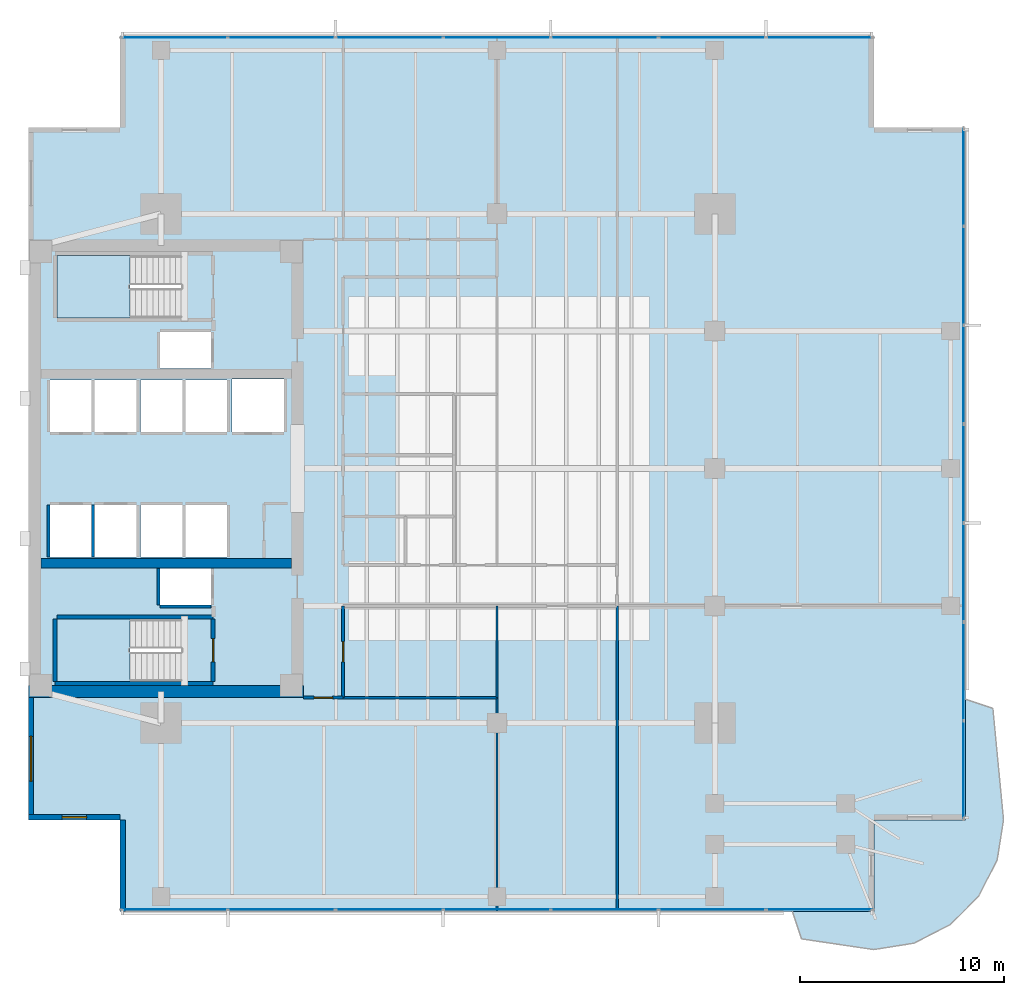
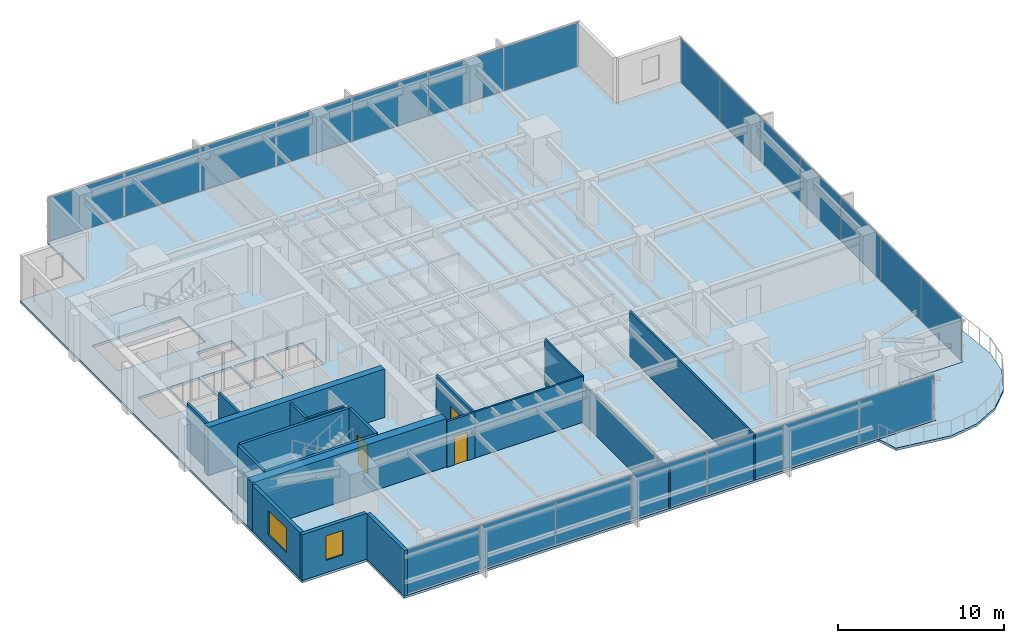
# One storey, part 7 of 14: 21 plates, 19 walls, 4 slabs, 3 doors, 2 windows, 5 openings, 5 elements without a shape of their own.
"""IFC4 building model written with IfcOpenShell, lengths in metres."""

from ifc_helpers import new_model, si_unit, direction, frame, frame_2d, origin, origin_2d, place, context, subcontext, project, spatial, polyline, rectangle, outline, extrude, material, layer, layer_set, type_object, element, fill, aggregate, save


model = new_model("IFC4")

# Units and contexts
model_context = context("Model", 3, precision=1e-05, world=origin(), true_north=direction((0.0, 1.0)))
body_context = subcontext(model_context, "Body", "Model", "MODEL_VIEW")
ifc_project = project(units=[si_unit("LENGTHUNIT", "METRE"), si_unit("AREAUNIT", "SQUARE_METRE"), si_unit("VOLUMEUNIT", "CUBIC_METRE"), si_unit("PLANEANGLEUNIT", "RADIAN"), si_unit("MASSUNIT", "GRAM", prefix="KILO")], contexts=[model_context])

# Site, building, storey
site_placement = place(None, origin())
site = spatial("IfcSite", under=ifc_project, at=site_placement, CompositionType="ELEMENT")
building_placement = place(site_placement, origin())
building = spatial("IfcBuilding", under=site, at=building_placement, Name="Kinhvarn Gate Tower", CompositionType="ELEMENT")
storey_placement = place(building_placement, frame((0.0, 0.0, 144.85009765625)))
storey = spatial("IfcBuildingStorey", under=building, at=storey_placement, Name="L38", CompositionType="ELEMENT", Elevation=144.85009765625)

# Curtain wall, plates
ifc_material_1 = material(Name="Anodised aluminium AW-6063", Category="aluminium")
ifc_layer_1 = layer(ifc_material_1, 0.179931640625)
ifc_layer_set_1 = layer_set([ifc_layer_1], Name="Anodised aluminium AW-6063")
curtain_wall_type = type_object("IfcCurtainWallType", Name="CW-SYS-3", PredefinedType="NOTDEFINED", material=ifc_layer_set_1)
curtain_wall_1_placement = place(storey_placement, origin())
curtain_wall_1 = element("IfcCurtainWall", 1, at=curtain_wall_1_placement, inside=storey, type_object=curtain_wall_type, Name="Curtain Wall CW3 (L38)", PredefinedType="NOTDEFINED")
ifc_material_2 = material(Name="Clear low-e double glazing", Category="glass")
ifc_layer_2 = layer(ifc_material_2, 0.031982421875)
ifc_layer_set_2 = layer_set([ifc_layer_2], Name="Clear low-e double glazing")
plate_type = type_object("IfcPlateType", Name="CW-PNL-VIS", PredefinedType="CURTAIN_PANEL", material=ifc_layer_set_2)
plate_1_placement = place(storey_placement, frame((11.6591796875, 3.590087890625, 0.06982421875), z_axis=(0.0, 0.0, 1.0), x_axis=(1.0, 0.0, 0.0)))
plate_1 = element("IfcPlate", 2, at=plate_1_placement, type_object=plate_type, Name="CW3 panel 1.1", PredefinedType="CURTAIN_PANEL", context=body_context, shape_type="SweptSolid", body=[
    extrude(rectangle(XDim=5.188232421875, YDim=0.031982421875, at=origin_2d()), origin(), (0.0, 0.0, 1.0), 3.22998046875),
])
plate_2_placement = place(storey_placement, frame((16.928466796875, 3.590087890625, 0.06982421875), z_axis=(0.0, 0.0, 1.0), x_axis=(1.0, 0.0, 0.0)))
plate_2 = element("IfcPlate", 3, at=plate_2_placement, type_object=plate_type, Name="CW3 panel 2.1", PredefinedType="CURTAIN_PANEL", context=body_context, shape_type="SweptSolid", body=[
    extrude(rectangle(XDim=5.220703125, YDim=0.031982421875, at=origin_2d()), origin(), (0.0, 0.0, 1.0), 3.22998046875),
])
plate_3_placement = place(storey_placement, frame((22.21435546875, 3.590087890625, 0.06982421875), z_axis=(0.0, 0.0, 1.0), x_axis=(1.0, 0.0, 0.0)))
plate_3 = element("IfcPlate", 4, at=plate_3_placement, type_object=plate_type, Name="CW3 panel 3.1", PredefinedType="CURTAIN_PANEL", context=body_context, shape_type="SweptSolid", body=[
    extrude(rectangle(XDim=5.220703125, YDim=0.031982421875, at=origin_2d()), origin(), (0.0, 0.0, 1.0), 3.22998046875),
])
plate_4_placement = place(storey_placement, frame((27.5, 3.590087890625, 0.06982421875), z_axis=(0.0, 0.0, 1.0), x_axis=(1.0, 0.0, 0.0)))
plate_4 = element("IfcPlate", 5, at=plate_4_placement, type_object=plate_type, Name="CW3 panel 4.1", PredefinedType="CURTAIN_PANEL", context=body_context, shape_type="SweptSolid", body=[
    extrude(rectangle(XDim=5.220703125, YDim=0.031982421875, at=origin_2d()), origin(), (0.0, 0.0, 1.0), 3.22998046875),
])
plate_5_placement = place(storey_placement, frame((32.78564453125, 3.590087890625, 0.06982421875), z_axis=(0.0, 0.0, 1.0), x_axis=(1.0, 0.0, 0.0)))
plate_5 = element("IfcPlate", 6, at=plate_5_placement, type_object=plate_type, Name="CW3 panel 5.1", PredefinedType="CURTAIN_PANEL", context=body_context, shape_type="SweptSolid", body=[
    extrude(rectangle(XDim=5.220703125, YDim=0.031982421875, at=origin_2d()), origin(), (0.0, 0.0, 1.0), 3.22998046875),
])
plate_6_placement = place(storey_placement, frame((38.071533203125, 3.590087890625, 0.06982421875), z_axis=(0.0, 0.0, 1.0), x_axis=(1.0, 0.0, 0.0)))
plate_6 = element("IfcPlate", 7, at=plate_6_placement, type_object=plate_type, Name="CW3 panel 6.1", PredefinedType="CURTAIN_PANEL", context=body_context, shape_type="SweptSolid", body=[
    extrude(rectangle(XDim=5.220703125, YDim=0.031982421875, at=origin_2d()), origin(), (0.0, 0.0, 1.0), 3.22998046875),
])
plate_7_placement = place(storey_placement, frame((43.3408203125, 3.590087890625, 0.06982421875), z_axis=(0.0, 0.0, 1.0), x_axis=(1.0, 0.0, 0.0)))
plate_7 = element("IfcPlate", 8, at=plate_7_placement, type_object=plate_type, Name="CW3 panel 7.1", PredefinedType="CURTAIN_PANEL", context=body_context, shape_type="SweptSolid", body=[
    extrude(rectangle(XDim=5.188232421875, YDim=0.031982421875, at=origin_2d()), origin(), (0.0, 0.0, 1.0), 3.22998046875),
])
aggregate(curtain_wall_1, [plate_1, plate_2, plate_3, plate_4, plate_5, plate_6, plate_7])

curtain_wall_2_placement = place(storey_placement, origin())
curtain_wall_2 = element("IfcCurtainWall", 9, at=curtain_wall_2_placement, inside=storey, type_object=curtain_wall_type, Name="Curtain Wall CW3 (L38)", PredefinedType="NOTDEFINED")
plate_8_placement = place(storey_placement, frame((43.3408203125, 46.409912109375, 0.06982421875), z_axis=(0.0, 0.0, 1.0), x_axis=(-1.0, 0.0, 0.0)))
plate_8 = element("IfcPlate", 10, at=plate_8_placement, type_object=plate_type, Name="CW3 panel 1.1", PredefinedType="CURTAIN_PANEL", context=body_context, shape_type="SweptSolid", body=[
    extrude(rectangle(XDim=5.188232421875, YDim=0.031982421875, at=origin_2d()), origin(), (0.0, 0.0, 1.0), 3.22998046875),
])
plate_9_placement = place(storey_placement, frame((38.071533203125, 46.409912109375, 0.06982421875), z_axis=(0.0, 0.0, 1.0), x_axis=(-1.0, 0.0, 0.0)))
plate_9 = element("IfcPlate", 11, at=plate_9_placement, type_object=plate_type, Name="CW3 panel 2.1", PredefinedType="CURTAIN_PANEL", context=body_context, shape_type="SweptSolid", body=[
    extrude(rectangle(XDim=5.220703125, YDim=0.031982421875, at=origin_2d()), origin(), (0.0, 0.0, 1.0), 3.22998046875),
])
plate_10_placement = place(storey_placement, frame((32.78564453125, 46.409912109375, 0.06982421875), z_axis=(0.0, 0.0, 1.0), x_axis=(-1.0, 0.0, 0.0)))
plate_10 = element("IfcPlate", 12, at=plate_10_placement, type_object=plate_type, Name="CW3 panel 3.1", PredefinedType="CURTAIN_PANEL", context=body_context, shape_type="SweptSolid", body=[
    extrude(rectangle(XDim=5.220703125, YDim=0.031982421875, at=origin_2d()), origin(), (0.0, 0.0, 1.0), 3.22998046875),
])
plate_11_placement = place(storey_placement, frame((27.5, 46.409912109375, 0.06982421875), z_axis=(0.0, 0.0, 1.0), x_axis=(-1.0, 0.0, 0.0)))
plate_11 = element("IfcPlate", 13, at=plate_11_placement, type_object=plate_type, Name="CW3 panel 4.1", PredefinedType="CURTAIN_PANEL", context=body_context, shape_type="SweptSolid", body=[
    extrude(rectangle(XDim=5.220703125, YDim=0.031982421875, at=origin_2d()), origin(), (0.0, 0.0, 1.0), 3.22998046875),
])
plate_12_placement = place(storey_placement, frame((22.21435546875, 46.409912109375, 0.06982421875), z_axis=(0.0, 0.0, 1.0), x_axis=(-1.0, 0.0, 0.0)))
plate_12 = element("IfcPlate", 14, at=plate_12_placement, type_object=plate_type, Name="CW3 panel 5.1", PredefinedType="CURTAIN_PANEL", context=body_context, shape_type="SweptSolid", body=[
    extrude(rectangle(XDim=5.220703125, YDim=0.031982421875, at=origin_2d()), origin(), (0.0, 0.0, 1.0), 3.22998046875),
])
plate_13_placement = place(storey_placement, frame((16.928466796875, 46.409912109375, 0.06982421875), z_axis=(0.0, 0.0, 1.0), x_axis=(-1.0, 0.0, 0.0)))
plate_13 = element("IfcPlate", 15, at=plate_13_placement, type_object=plate_type, Name="CW3 panel 6.1", PredefinedType="CURTAIN_PANEL", context=body_context, shape_type="SweptSolid", body=[
    extrude(rectangle(XDim=5.220703125, YDim=0.031982421875, at=origin_2d()), origin(), (0.0, 0.0, 1.0), 3.22998046875),
])
plate_14_placement = place(storey_placement, frame((11.6591796875, 46.409912109375, 0.06982421875), z_axis=(0.0, 0.0, 1.0), x_axis=(-1.0, 0.0, 0.0)))
plate_14 = element("IfcPlate", 16, at=plate_14_placement, type_object=plate_type, Name="CW3 panel 7.1", PredefinedType="CURTAIN_PANEL", context=body_context, shape_type="SweptSolid", body=[
    extrude(rectangle(XDim=5.188232421875, YDim=0.031982421875, at=origin_2d()), origin(), (0.0, 0.0, 1.0), 3.22998046875),
])
aggregate(curtain_wall_2, [plate_8, plate_9, plate_10, plate_11, plate_12, plate_13, plate_14])

curtain_wall_3_placement = place(storey_placement, origin())
curtain_wall_3 = element("IfcCurtainWall", 17, at=curtain_wall_3_placement, inside=storey, type_object=curtain_wall_type, Name="Curtain Wall CW3 (L38)", PredefinedType="NOTDEFINED")
plate_15_placement = place(storey_placement, frame((50.409912109375, 10.44482421875, 0.06982421875), z_axis=(0.0, 0.0, 1.0), x_axis=(0.0, 1.0, 0.0)))
plate_15 = element("IfcPlate", 18, at=plate_15_placement, type_object=plate_type, Name="CW3 panel 1.1", PredefinedType="CURTAIN_PANEL", context=body_context, shape_type="SweptSolid", body=[
    extrude(rectangle(XDim=4.759521484375, YDim=0.031982421875, at=origin_2d()), origin(), (0.0, 0.0, 1.0), 3.22998046875),
])
plate_16_placement = place(storey_placement, frame((50.409912109375, 15.28564453125, 0.06982421875), z_axis=(0.0, 0.0, 1.0), x_axis=(0.0, 1.0, 0.0)))
plate_16 = element("IfcPlate", 19, at=plate_16_placement, type_object=plate_type, Name="CW3 panel 2.1", PredefinedType="CURTAIN_PANEL", context=body_context, shape_type="SweptSolid", body=[
    extrude(rectangle(XDim=4.792236328125, YDim=0.031982421875, at=origin_2d()), origin(), (0.0, 0.0, 1.0), 3.22998046875),
])
plate_17_placement = place(storey_placement, frame((50.409912109375, 20.142822265625, 0.06982421875), z_axis=(0.0, 0.0, 1.0), x_axis=(0.0, 1.0, 0.0)))
plate_17 = element("IfcPlate", 20, at=plate_17_placement, type_object=plate_type, Name="CW3 panel 3.1", PredefinedType="CURTAIN_PANEL", context=body_context, shape_type="SweptSolid", body=[
    extrude(rectangle(XDim=4.792236328125, YDim=0.031982421875, at=origin_2d()), origin(), (0.0, 0.0, 1.0), 3.22998046875),
])
plate_18_placement = place(storey_placement, frame((50.409912109375, 25.0, 0.06982421875), z_axis=(0.0, 0.0, 1.0), x_axis=(0.0, 1.0, 0.0)))
plate_18 = element("IfcPlate", 21, at=plate_18_placement, type_object=plate_type, Name="CW3 panel 4.1", PredefinedType="CURTAIN_PANEL", context=body_context, shape_type="SweptSolid", body=[
    extrude(rectangle(XDim=4.792236328125, YDim=0.031982421875, at=origin_2d()), origin(), (0.0, 0.0, 1.0), 3.22998046875),
])
plate_19_placement = place(storey_placement, frame((50.409912109375, 29.857177734375, 0.06982421875), z_axis=(0.0, 0.0, 1.0), x_axis=(0.0, 1.0, 0.0)))
plate_19 = element("IfcPlate", 22, at=plate_19_placement, type_object=plate_type, Name="CW3 panel 5.1", PredefinedType="CURTAIN_PANEL", context=body_context, shape_type="SweptSolid", body=[
    extrude(rectangle(XDim=4.792236328125, YDim=0.031982421875, at=origin_2d()), origin(), (0.0, 0.0, 1.0), 3.22998046875),
])
plate_20_placement = place(storey_placement, frame((50.409912109375, 34.71435546875, 0.06982421875), z_axis=(0.0, 0.0, 1.0), x_axis=(0.0, 1.0, 0.0)))
plate_20 = element("IfcPlate", 23, at=plate_20_placement, type_object=plate_type, Name="CW3 panel 6.1", PredefinedType="CURTAIN_PANEL", context=body_context, shape_type="SweptSolid", body=[
    extrude(rectangle(XDim=4.792236328125, YDim=0.031982421875, at=origin_2d()), origin(), (0.0, 0.0, 1.0), 3.22998046875),
])
plate_21_placement = place(storey_placement, frame((50.409912109375, 39.55517578125, 0.06982421875), z_axis=(0.0, 0.0, 1.0), x_axis=(0.0, 1.0, 0.0)))
plate_21 = element("IfcPlate", 24, at=plate_21_placement, type_object=plate_type, Name="CW3 panel 7.1", PredefinedType="CURTAIN_PANEL", context=body_context, shape_type="SweptSolid", body=[
    extrude(rectangle(XDim=4.759521484375, YDim=0.031982421875, at=origin_2d()), origin(), (0.0, 0.0, 1.0), 3.22998046875),
])
aggregate(curtain_wall_3, [plate_15, plate_16, plate_17, plate_18, plate_19, plate_20, plate_21])

# Slabs
ifc_material_3 = material(Name="Precast white architectural concrete C40/50", Category="concrete")
ifc_layer_3 = layer(ifc_material_3, 0.179931640625)
ifc_layer_set_3 = layer_set([ifc_layer_3], Name="Precast white architectural concrete C40/50")
slab_type_1 = type_object("IfcSlabType", Name="SLB-BAL-180", PredefinedType="FLOOR", material=ifc_layer_set_3)
slab_1_placement = place(storey_placement, frame((0.0, 0.0, -0.18017578125)))
element("IfcSlab", 25, at=slab_1_placement, inside=storey, type_object=slab_type_1, Name="S-Carve Curved Terrace Balcony Slab L38 (SE)", PredefinedType="FLOOR", context=body_context, shape_type="SweptSolid", body=[
    extrude(outline(polyline([(42.008056640625, 3.5), (42.4580078125, 2.15283203125), (46.0, 1.62890625), (47.96875, 1.94091796875), (49.744873046875, 2.845703125), (51.154296875, 4.255126953125), (52.05908203125, 6.03125), (52.37109375, 8.0), (51.84716796875, 13.469970703125), (50.5, 13.919921875), (50.5, 8.0), (46.0, 8.0), (46.0, 3.5), (42.008056640625, 3.5)])), origin(), (0.0, 0.0, 1.0), 0.18017578125),
])
ifc_material_4 = material(Name="Concrete C40/50", Category="concrete")
ifc_layer_4 = layer(ifc_material_4, 0.179931640625)
ifc_layer_set_4 = layer_set([ifc_layer_4], Name="Concrete C40/50")
slab_type_2 = type_object("IfcSlabType", Name="SLB-FLR-180", PredefinedType="FLOOR", material=ifc_layer_set_4)
slab_2_placement = place(storey_placement, frame((0.0, 0.0, -0.18017578125)))
element("IfcSlab", 26, at=slab_2_placement, inside=storey, type_object=slab_type_2, Name="Suspended Floor Slab L38", PredefinedType="FLOOR", context=body_context, shape_type="SweptSolid", body=[
    extrude(outline(polyline([(9.0, 3.5), (46.0, 3.5), (46.0, 8.0), (50.5, 8.0), (50.5, 42.0), (46.0, 42.0), (46.0, 46.5), (9.0, 46.5), (9.0, 42.0), (4.5, 42.0), (4.5, 8.0), (9.0, 8.0), (9.0, 3.5)]), holes=[polyline([(5.89990234375, 14.800048828125), (12.0, 14.800048828125), (12.0, 17.85009765625), (5.89990234375, 17.85009765625), (5.89990234375, 14.800048828125)]), polyline([(5.89990234375, 32.64990234375), (12.0, 32.64990234375), (12.0, 35.699951171875), (5.89990234375, 35.699951171875), (5.89990234375, 32.64990234375)]), polyline([(5.550048828125, 20.89990234375), (7.60009765625, 20.89990234375), (7.60009765625, 23.449951171875), (5.550048828125, 23.449951171875), (5.550048828125, 20.89990234375)]), polyline([(7.75, 20.89990234375), (9.800048828125, 20.89990234375), (9.800048828125, 23.449951171875), (7.75, 23.449951171875), (7.75, 20.89990234375)]), polyline([(5.550048828125, 27.050048828125), (7.60009765625, 27.050048828125), (7.60009765625, 29.60009765625), (5.550048828125, 29.60009765625), (5.550048828125, 27.050048828125)]), polyline([(7.75, 27.050048828125), (9.800048828125, 27.050048828125), (9.800048828125, 29.60009765625), (7.75, 29.60009765625), (7.75, 27.050048828125)]), polyline([(10.0, 20.89990234375), (12.050048828125, 20.89990234375), (12.050048828125, 23.449951171875), (10.0, 23.449951171875), (10.0, 20.89990234375)]), polyline([(12.199951171875, 20.89990234375), (14.25, 20.89990234375), (14.25, 23.449951171875), (12.199951171875, 23.449951171875), (12.199951171875, 20.89990234375)]), polyline([(10.0, 27.050048828125), (12.050048828125, 27.050048828125), (12.050048828125, 29.60009765625), (10.0, 29.60009765625), (10.0, 27.050048828125)]), polyline([(12.199951171875, 27.050048828125), (14.25, 27.050048828125), (14.25, 29.60009765625), (12.199951171875, 29.60009765625), (12.199951171875, 27.050048828125)]), polyline([(14.5, 27.050048828125), (17.050048828125, 27.050048828125), (17.050048828125, 29.64990234375), (14.5, 29.64990234375), (14.5, 27.050048828125)]), polyline([(10.949951171875, 18.550048828125), (13.449951171875, 18.550048828125), (13.449951171875, 20.35009765625), (10.949951171875, 20.35009765625), (10.949951171875, 18.550048828125)]), polyline([(10.949951171875, 30.14990234375), (13.449951171875, 30.14990234375), (13.449951171875, 31.949951171875), (10.949951171875, 31.949951171875), (10.949951171875, 30.14990234375)])]), origin(), (0.0, 0.0, 1.0), 0.18017578125),
])

# Stair, slab
stair_type = type_object("IfcStairType", Name="STR-DLG-178", PredefinedType="HALF_TURN_STAIR", material=ifc_material_4)
stair_1_placement = place(storey_placement, origin())
stair_1 = element("IfcStair", 27, at=stair_1_placement, inside=storey, type_object=stair_type, Name="L38 Core Smokeproof Exit Stair ST1", PredefinedType="HALF_TURN_STAIR")
ifc_layer_5 = layer(ifc_material_4, 0.199951171875)
ifc_layer_set_5 = layer_set([ifc_layer_5], Name="Concrete C40/50")
slab_type_3 = type_object("IfcSlabType", Name="SLB-ST-LND", PredefinedType="LANDING", material=ifc_layer_set_5)
slab_3_placement = place(storey_placement, frame((0.0, 0.0, 1.574951171875)))
slab_3 = element("IfcSlab", 28, at=slab_3_placement, type_object=slab_type_3, Name="ST1 landing 1", PredefinedType="LANDING", context=body_context, shape_type="SweptSolid", body=[
    extrude(outline(polyline([(9.47998046875, 17.85009765625), (5.89990234375, 17.85009765625), (5.89990234375, 14.800048828125), (9.47998046875, 14.800048828125), (9.47998046875, 17.85009765625)])), origin(), (0.0, 0.0, 1.0), 0.199951171875),
])
aggregate(stair_1, [slab_3])

stair_2_placement = place(storey_placement, origin())
stair_2 = element("IfcStair", 29, at=stair_2_placement, inside=storey, type_object=stair_type, Name="L38 Core Smokeproof Exit Stair ST2", PredefinedType="HALF_TURN_STAIR")
slab_4_placement = place(storey_placement, frame((0.0, 0.0, 1.574951171875)))
slab_4 = element("IfcSlab", 30, at=slab_4_placement, type_object=slab_type_3, Name="ST2 landing 1", PredefinedType="LANDING", context=body_context, shape_type="SweptSolid", body=[
    extrude(outline(polyline([(9.47998046875, 35.699951171875), (5.89990234375, 35.699951171875), (5.89990234375, 32.64990234375), (9.47998046875, 32.64990234375), (9.47998046875, 35.699951171875)])), origin(), (0.0, 0.0, 1.0), 0.199951171875),
])
aggregate(stair_2, [slab_4])

# Walls
ifc_material_5 = material(Name="Concrete C50/60", Category="concrete")
ifc_layer_6 = layer(ifc_material_5, 0.449951171875)
ifc_layer_set_6 = layer_set([ifc_layer_6], Name="Concrete C50/60")
wall_type_1 = type_object("IfcWallType", Name="WL-CORE-450", PredefinedType="SHEAR", material=ifc_layer_set_6)
wall_1_placement = place(storey_placement, frame((5.10009765625, 20.60009765625, 0.0), z_axis=(0.0, 0.0, 1.0), x_axis=(1.0, 0.0, 0.0)))
element("IfcWall", 31, at=wall_1_placement, inside=storey, type_object=wall_type_1, Name="Core South Spine Shear Wall L38 450 mm", PredefinedType="SHEAR", context=body_context, shape_type="SweptSolid", body=[
    extrude(rectangle(XDim=12.2998046875, YDim=0.449951171875, at=frame_2d((6.14990234375, 0.0))), origin(), (0.0, 0.0, 1.0), 3.5498046875),
])
ifc_material_6 = material(Name="Concrete C60/75", Category="concrete")
ifc_layer_7 = layer(ifc_material_6, 0.60009765625)
ifc_layer_set_7 = layer_set([ifc_layer_7], Name="Concrete C60/75")
wall_type_2 = type_object("IfcWallType", Name="WL-CORE-600", PredefinedType="SHEAR", material=ifc_layer_set_7)
wall_2_placement = place(storey_placement, frame((4.5, 14.300048828125, 0.0), z_axis=(0.0, 0.0, 1.0), x_axis=(1.0, 0.0, 0.0)))
element("IfcWall", 32, at=wall_2_placement, inside=storey, type_object=wall_type_2, Name="Core South Shear Wall L38 600 mm", PredefinedType="SHEAR", context=body_context, shape_type="SweptSolid", body=[
    extrude(rectangle(XDim=13.5, YDim=0.60009765625, at=frame_2d((6.75, 0.0))), origin(), (0.0, 0.0, 1.0), 3.5498046875),
])

# Wall, opening, window
ifc_material_7 = material(Name="Fired architectural terracotta", Category="masonry")
ifc_layer_8 = layer(ifc_material_7, 0.25)
ifc_layer_set_8 = layer_set([ifc_layer_8], Name="Fired architectural terracotta")
wall_type_3 = type_object("IfcWallType", Name="WL-EXT-250", PredefinedType="SOLIDWALL", material=ifc_layer_set_8)
wall_3_placement = place(storey_placement, frame((4.625, 14.0, 0.0), z_axis=(0.0, 0.0, 1.0), x_axis=(0.0, -1.0, 0.0)))
wall_3 = element("IfcWall", 33, at=wall_3_placement, inside=storey, type_object=wall_type_3, Name="Exterior Solidwall Wall EW-250 (L38 West-South)", PredefinedType="SOLIDWALL", context=body_context, shape_type="SweptSolid", body=[
    extrude(rectangle(XDim=6.0, YDim=0.25, at=frame_2d((3.0, 0.0))), origin(), (0.0, 0.0, 1.0), 3.369873046875),
])
opening_1_placement = place(wall_3_placement, frame((1.89990234375, 0.0, 0.89990234375)))
opening_1 = element("IfcOpeningElement", 34, at=opening_1_placement, cuts=wall_3, Name="Opening WN-01", PredefinedType="OPENING", context=body_context, shape_type="SweptSolid", body=[
    extrude(rectangle(XDim=2.199951171875, YDim=1.800048828125, at=frame_2d((1.10009765625, 0.89990234375))), frame((0.0, 0.135009765625, 0.0), z_axis=(0.0, -1.0, 0.0), x_axis=(1.0, 0.0, 0.0)), (0.0, 0.0, 1.0), 0.27001953125),
])
window_type_1 = type_object("IfcWindowType", Name="WIN-RIB-2200", PartitioningType="SINGLE_PANEL", PredefinedType="WINDOW", material=ifc_material_2)
window_1_placement = place(opening_1_placement, origin())
window_1 = element("IfcWindow", 35, at=window_1_placement, inside=storey, type_object=window_type_1, Name="West Flank Double-Glazed Ribbon Window 2200x1800 mm (L38)", OverallHeight=1.800048828125, OverallWidth=2.199951171875, PartitioningType="SINGLE_PANEL", PredefinedType="WINDOW", context=body_context, shape_type="SweptSolid", body=[
    extrude(rectangle(XDim=2.199951171875, YDim=1.800048828125, at=frame_2d((1.10009765625, 0.89990234375))), frame((0.0, 0.030029296875, 0.0), z_axis=(0.0, -1.0, 0.0), x_axis=(1.0, 0.0, 0.0)), (0.0, 0.0, 1.0), 0.06005859375),
])
fill(opening_1, window_1)

wall_4_placement = place(storey_placement, frame((4.5, 8.125, 0.0), z_axis=(0.0, 0.0, 1.0), x_axis=(1.0, 0.0, 0.0)))
wall_4 = element("IfcWall", 36, at=wall_4_placement, inside=storey, type_object=wall_type_3, Name="Exterior Solidwall Wall EW-250 (L38 SW-Notch-1)", PredefinedType="SOLIDWALL", context=body_context, shape_type="SweptSolid", body=[
    extrude(rectangle(XDim=4.5, YDim=0.25, at=frame_2d((2.25, 0.0))), origin(), (0.0, 0.0, 1.0), 3.369873046875),
])
opening_2_placement = place(wall_4_placement, frame((1.64990234375, 0.0, 0.89990234375)))
opening_2 = element("IfcOpeningElement", 37, at=opening_2_placement, cuts=wall_4, Name="Opening WN-02", PredefinedType="OPENING", context=body_context, shape_type="SweptSolid", body=[
    extrude(rectangle(XDim=1.199951171875, YDim=1.800048828125, at=frame_2d((0.60009765625, 0.89990234375))), frame((0.0, 0.135009765625, 0.0), z_axis=(0.0, -1.0, 0.0), x_axis=(1.0, 0.0, 0.0)), (0.0, 0.0, 1.0), 0.27001953125),
])
window_type_2 = type_object("IfcWindowType", Name="WIN-NTC-1200", PartitioningType="SINGLE_PANEL", PredefinedType="WINDOW", material=ifc_material_2)
window_2_placement = place(opening_2_placement, origin())
window_2 = element("IfcWindow", 38, at=window_2_placement, inside=storey, type_object=window_type_2, Name="Recessed Corner Notch Punched Window 1200x1800 mm (L38)", OverallHeight=1.800048828125, OverallWidth=1.199951171875, PartitioningType="SINGLE_PANEL", PredefinedType="WINDOW", context=body_context, shape_type="SweptSolid", body=[
    extrude(rectangle(XDim=1.199951171875, YDim=1.800048828125, at=frame_2d((0.60009765625, 0.89990234375))), frame((0.0, 0.030029296875, 0.0), z_axis=(0.0, -1.0, 0.0), x_axis=(1.0, 0.0, 0.0)), (0.0, 0.0, 1.0), 0.06005859375),
])
fill(opening_2, window_2)

# Walls
wall_5_placement = place(storey_placement, frame((9.125, 8.0, 0.0), z_axis=(0.0, 0.0, 1.0), x_axis=(0.0, -1.0, 0.0)))
element("IfcWall", 39, at=wall_5_placement, inside=storey, type_object=wall_type_3, Name="Exterior Solidwall Wall EW-250 (L38 SW-Notch-2)", PredefinedType="SOLIDWALL", context=body_context, shape_type="SweptSolid", body=[
    extrude(rectangle(XDim=4.5, YDim=0.25, at=frame_2d((2.25, 0.0))), origin(), (0.0, 0.0, 1.0), 3.369873046875),
])
ifc_material_8 = material(Name="Gypsum acoustic partition board")
ifc_layer_9 = layer(ifc_material_8, 0.1201171875)
ifc_layer_set_9 = layer_set([ifc_layer_9], Name="Gypsum acoustic partition board")
wall_type_4 = type_object("IfcWallType", Name="WL-PRT-120", PredefinedType="PARTITIONING", material=ifc_layer_set_9)
wall_6_placement = place(storey_placement, frame((19.949951171875, 14.0, 0.0), z_axis=(0.0, 0.0, 1.0), x_axis=(1.0, 0.0, 0.0)))
element("IfcWall", 40, at=wall_6_placement, inside=storey, type_object=wall_type_4, Name="Interior Partition PW-120 (L38)", PredefinedType="PARTITIONING", context=body_context, shape_type="SweptSolid", body=[
    extrude(rectangle(XDim=7.550048828125, YDim=0.1201171875, at=frame_2d((3.77490234375, 0.0))), origin(), (0.0, 0.0, 1.0), 3.369873046875),
])
wall_7_placement = place(storey_placement, frame((27.5, 3.510009765625, 0.0), z_axis=(0.0, 0.0, 1.0), x_axis=(0.0, 1.0, 0.0)))
element("IfcWall", 41, at=wall_7_placement, inside=storey, type_object=wall_type_4, Name="Interior Partition PW-120 (L38)", PredefinedType="PARTITIONING", context=body_context, shape_type="SweptSolid", body=[
    extrude(rectangle(XDim=10.489990234375, YDim=0.1201171875, at=frame_2d((5.2451171875, 0.0))), origin(), (0.0, 0.0, 1.0), 2.869873046875),
])
wall_8_placement = place(storey_placement, frame((27.5, 14.0, 0.0), z_axis=(0.0, 0.0, 1.0), x_axis=(0.0, 1.0, 0.0)))
element("IfcWall", 42, at=wall_8_placement, inside=storey, type_object=wall_type_4, Name="Interior Partition PW-120 (L38)", PredefinedType="PARTITIONING", context=body_context, shape_type="SweptSolid", body=[
    extrude(rectangle(XDim=4.5, YDim=0.1201171875, at=frame_2d((2.25, 0.0))), origin(), (0.0, 0.0, 1.0), 3.369873046875),
])
wall_9_placement = place(storey_placement, frame((33.39990234375, 3.510009765625, 0.0), z_axis=(0.0, 0.0, 1.0), x_axis=(0.0, 1.0, 0.0)))
element("IfcWall", 43, at=wall_9_placement, inside=storey, type_object=wall_type_4, Name="Interior Partition PW-120 (L38)", PredefinedType="PARTITIONING", context=body_context, shape_type="SweptSolid", body=[
    extrude(rectangle(XDim=14.989990234375, YDim=0.1201171875, at=frame_2d((7.4951171875, 0.0))), origin(), (0.0, 0.0, 1.0), 3.369873046875),
])

# Wall, opening, door
ifc_layer_10 = layer(ifc_material_8, 0.14990234375)
ifc_layer_set_10 = layer_set([ifc_layer_10], Name="Gypsum acoustic partition board")
wall_type_5 = type_object("IfcWallType", Name="WL-PRT-150F", PredefinedType="PARTITIONING", material=ifc_layer_set_10)
wall_10_placement = place(storey_placement, frame((18.0, 14.0, 0.0), z_axis=(0.0, 0.0, 1.0), x_axis=(1.0, 0.0, 0.0)))
wall_10 = element("IfcWall", 44, at=wall_10_placement, inside=storey, type_object=wall_type_5, Name="Interior Partition PW-150F (L38)", PredefinedType="PARTITIONING", context=body_context, shape_type="SweptSolid", body=[
    extrude(rectangle(XDim=1.949951171875, YDim=0.14990234375, at=frame_2d((0.97509765625, 0.0))), origin(), (0.0, 0.0, 1.0), 3.369873046875),
])
opening_3_placement = place(wall_10_placement, frame((0.52490234375, 0.0, 0.0)))
opening_3 = element("IfcOpeningElement", 45, at=opening_3_placement, cuts=wall_10, Name="Opening ID-03", PredefinedType="OPENING", context=body_context, shape_type="SweptSolid", body=[
    extrude(rectangle(XDim=0.89990234375, YDim=2.10009765625, at=frame_2d((0.449951171875, 1.050048828125))), frame((0.0, 0.0849609375, 0.0), z_axis=(0.0, -1.0, 0.0), x_axis=(1.0, 0.0, 0.0)), (0.0, 0.0, 1.0), 0.169921875),
])
door_type_1 = type_object("IfcDoorType", Name="DR-INT-900", OperationType="NOTDEFINED", PredefinedType="DOOR", material=ifc_material_1)
door_1_placement = place(opening_3_placement, origin())
door_1 = element("IfcDoor", 46, at=door_1_placement, inside=storey, type_object=door_type_1, Name="Cellular Office & Restroom Door 900x2100 mm (L38)", OperationType="SINGLE_SWING_LEFT", OverallHeight=2.10009765625, OverallWidth=0.89990234375, PredefinedType="DOOR", context=body_context, shape_type="SweptSolid", body=[
    extrude(rectangle(XDim=0.89990234375, YDim=2.10009765625, at=frame_2d((0.449951171875, 1.050048828125))), frame((0.0, 0.02490234375, 0.0), z_axis=(0.0, -1.0, 0.0), x_axis=(1.0, 0.0, 0.0)), (0.0, 0.0, 1.0), 0.050048828125),
])
fill(opening_3, door_1)

wall_11_placement = place(storey_placement, frame((19.949951171875, 14.0, 0.0), z_axis=(0.0, 0.0, 1.0), x_axis=(0.0, 1.0, 0.0)))
wall_11 = element("IfcWall", 47, at=wall_11_placement, inside=storey, type_object=wall_type_5, Name="Interior Partition PW-150F (L38)", PredefinedType="PARTITIONING", context=body_context, shape_type="SweptSolid", body=[
    extrude(rectangle(XDim=4.5, YDim=0.14990234375, at=frame_2d((2.25, 0.0))), origin(), (0.0, 0.0, 1.0), 3.369873046875),
])
opening_4_placement = place(wall_11_placement, frame((1.75, 0.0, 0.0)))
opening_4 = element("IfcOpeningElement", 48, at=opening_4_placement, cuts=wall_11, Name="Opening ID-02", PredefinedType="OPENING", context=body_context, shape_type="SweptSolid", body=[
    extrude(rectangle(XDim=1.0, YDim=2.14990234375, at=frame_2d((0.5, 1.074951171875))), frame((0.0, 0.0849609375, 0.0), z_axis=(0.0, -1.0, 0.0), x_axis=(1.0, 0.0, 0.0)), (0.0, 0.0, 1.0), 0.169921875),
])
door_type_2 = type_object("IfcDoorType", Name="DR-INT-1000", OperationType="NOTDEFINED", PredefinedType="DOOR", material=ifc_material_1)
door_2_placement = place(opening_4_placement, origin())
door_2 = element("IfcDoor", 49, at=door_2_placement, inside=storey, type_object=door_type_2, Name="Standard Office & Meeting Room Door 1000x2150 mm (L38)", OperationType="SINGLE_SWING_RIGHT", OverallHeight=2.14990234375, OverallWidth=1.0, PredefinedType="DOOR", context=body_context, shape_type="SweptSolid", body=[
    extrude(rectangle(XDim=1.0, YDim=2.14990234375, at=frame_2d((0.5, 1.074951171875))), frame((0.0, 0.02490234375, 0.0), z_axis=(0.0, -1.0, 0.0), x_axis=(1.0, 0.0, 0.0)), (0.0, 0.0, 1.0), 0.050048828125),
])
fill(opening_4, door_2)

# Walls
ifc_layer_11 = layer(ifc_material_8, 0.14990234375)
ifc_layer_set_11 = layer_set([ifc_layer_11], Name="Gypsum acoustic partition board")
wall_type_6 = type_object("IfcWallType", Name="WL-SHF-150", PredefinedType="PARTITIONING", material=ifc_layer_set_11)
for number, where, z_axis, x_axis, name in (
    (50, (5.47509765625, 20.89990234375, 0.0), (0.0, 0.0, 1.0), (0.0, 1.0, 0.0), "Elevator PM-05 Hoistway Wall W (L38)"),
    (51, (7.675048828125, 20.89990234375, 0.0), (0.0, 0.0, 1.0), (0.0, 1.0, 0.0), "Elevator PM-05 Hoistway Wall E (L38)"),
):
    element("IfcWall", number, at=place(storey_placement, frame(where, z_axis=z_axis, x_axis=x_axis)), inside=storey, type_object=wall_type_6, Name=name, PredefinedType="PARTITIONING", context=body_context, shape_type="SweptSolid", body=[
        extrude(rectangle(XDim=2.550048828125, YDim=0.14990234375, at=frame_2d((1.27490234375, 0.0))), origin(), (0.0, 0.0, 1.0), 3.369873046875),
    ])
wall_12_placement = place(storey_placement, frame((10.949951171875, 18.47509765625, 0.0), z_axis=(0.0, 0.0, 1.0), x_axis=(1.0, 0.0, 0.0)))
element("IfcWall", 52, at=wall_12_placement, inside=storey, type_object=wall_type_6, Name="Elevator FF1 Hoistway Wall S (L38)", PredefinedType="PARTITIONING", context=body_context, shape_type="SweptSolid", body=[
    extrude(rectangle(XDim=2.5, YDim=0.14990234375, at=frame_2d((1.25, 0.0))), origin(), (0.0, 0.0, 1.0), 3.369873046875),
])
wall_13_placement = place(storey_placement, frame((10.875, 18.550048828125, 0.0), z_axis=(0.0, 0.0, 1.0), x_axis=(0.0, 1.0, 0.0)))
element("IfcWall", 53, at=wall_13_placement, inside=storey, type_object=wall_type_6, Name="Elevator FF1 Hoistway Wall W (L38)", PredefinedType="PARTITIONING", context=body_context, shape_type="SweptSolid", body=[
    extrude(rectangle(XDim=1.800048828125, YDim=0.14990234375, at=frame_2d((0.89990234375, 0.0))), origin(), (0.0, 0.0, 1.0), 3.369873046875),
])
ifc_layer_12 = layer(ifc_material_4, 0.199951171875)
ifc_layer_set_12 = layer_set([ifc_layer_12], Name="Concrete C40/50")
wall_type_7 = type_object("IfcWallType", Name="WL-SHF-200", PredefinedType="SOLIDWALL", material=ifc_layer_set_12)
wall_14_placement = place(storey_placement, frame((5.800048828125, 14.699951171875, 0.0), z_axis=(0.0, 0.0, 1.0), x_axis=(1.0, 0.0, 0.0)))
element("IfcWall", 54, at=wall_14_placement, inside=storey, type_object=wall_type_7, Name="Stair ST1 South Shaft Wall (L38)", PredefinedType="SOLIDWALL", context=body_context, shape_type="SweptSolid", body=[
    extrude(rectangle(XDim=7.75, YDim=0.199951171875, at=frame_2d((3.875, 0.0))), origin(), (0.0, 0.0, 1.0), 3.5498046875),
])
wall_15_placement = place(storey_placement, frame((5.7900390625, 14.800048828125, 0.0), z_axis=(0.0, 0.0, 1.0), x_axis=(0.0, 1.0, 0.0)))
element("IfcWall", 55, at=wall_15_placement, inside=storey, type_object=wall_type_7, Name="Stair ST1 West Shaft Wall (L38)", PredefinedType="SOLIDWALL", context=body_context, shape_type="SweptSolid", body=[
    extrude(rectangle(XDim=3.050048828125, YDim=0.199951171875, at=frame_2d((1.52490234375, 0.0))), origin(), (0.0, 0.0, 1.0), 3.5498046875),
])
wall_16_placement = place(storey_placement, frame((5.89990234375, 17.9599609375, 0.0), z_axis=(0.0, 0.0, 1.0), x_axis=(1.0, 0.0, 0.0)))
element("IfcWall", 56, at=wall_16_placement, inside=storey, type_object=wall_type_7, Name="Stair ST1 North Shaft Wall (L38)", PredefinedType="SOLIDWALL", context=body_context, shape_type="SweptSolid", body=[
    extrude(rectangle(XDim=7.66015625, YDim=0.199951171875, at=frame_2d((3.830078125, 0.0))), origin(), (0.0, 0.0, 1.0), 3.5498046875),
])

# Wall, opening, door
wall_17_placement = place(storey_placement, frame((13.56005859375, 14.800048828125, 0.0), z_axis=(0.0, 0.0, 1.0), x_axis=(0.0, 1.0, 0.0)))
wall_17 = element("IfcWall", 57, at=wall_17_placement, inside=storey, type_object=wall_type_7, Name="Stair ST1 East Entry Wall (L38)", PredefinedType="SOLIDWALL", context=body_context, shape_type="SweptSolid", body=[
    extrude(rectangle(XDim=3.050048828125, YDim=0.199951171875, at=frame_2d((1.52490234375, 0.0))), origin(), (0.0, 0.0, 1.0), 3.5498046875),
])
opening_5_placement = place(wall_17_placement, frame((0.949951171875, 0.0, 0.0)))
opening_5 = element("IfcOpeningElement", 58, at=opening_5_placement, cuts=wall_17, Name="Opening FD-01", PredefinedType="OPENING", context=body_context, shape_type="SweptSolid", body=[
    extrude(rectangle(XDim=1.14990234375, YDim=2.14990234375, at=frame_2d((0.574951171875, 1.074951171875))), frame((0.0, 0.10986328125, 0.0), z_axis=(0.0, -1.0, 0.0), x_axis=(1.0, 0.0, 0.0)), (0.0, 0.0, 1.0), 0.219970703125),
])
door_type_3 = type_object("IfcDoorType", Name="DR-ST-1150", OperationType="NOTDEFINED", PredefinedType="DOOR", material=ifc_material_1)
door_3_placement = place(opening_5_placement, origin())
door_3 = element("IfcDoor", 59, at=door_3_placement, inside=storey, type_object=door_type_3, Name="Exit Stair ST1 Fire Door (L38)", OperationType="SINGLE_SWING_RIGHT", OverallHeight=2.14990234375, OverallWidth=1.14990234375, PredefinedType="DOOR", context=body_context, shape_type="SweptSolid", body=[
    extrude(rectangle(XDim=1.14990234375, YDim=2.14990234375, at=frame_2d((0.574951171875, 1.074951171875))), frame((0.0, 0.02490234375, 0.0), z_axis=(0.0, -1.0, 0.0), x_axis=(1.0, 0.0, 0.0)), (0.0, 0.0, 1.0), 0.050048828125),
])
fill(opening_5, door_3)

save(model, "model.ifc")
